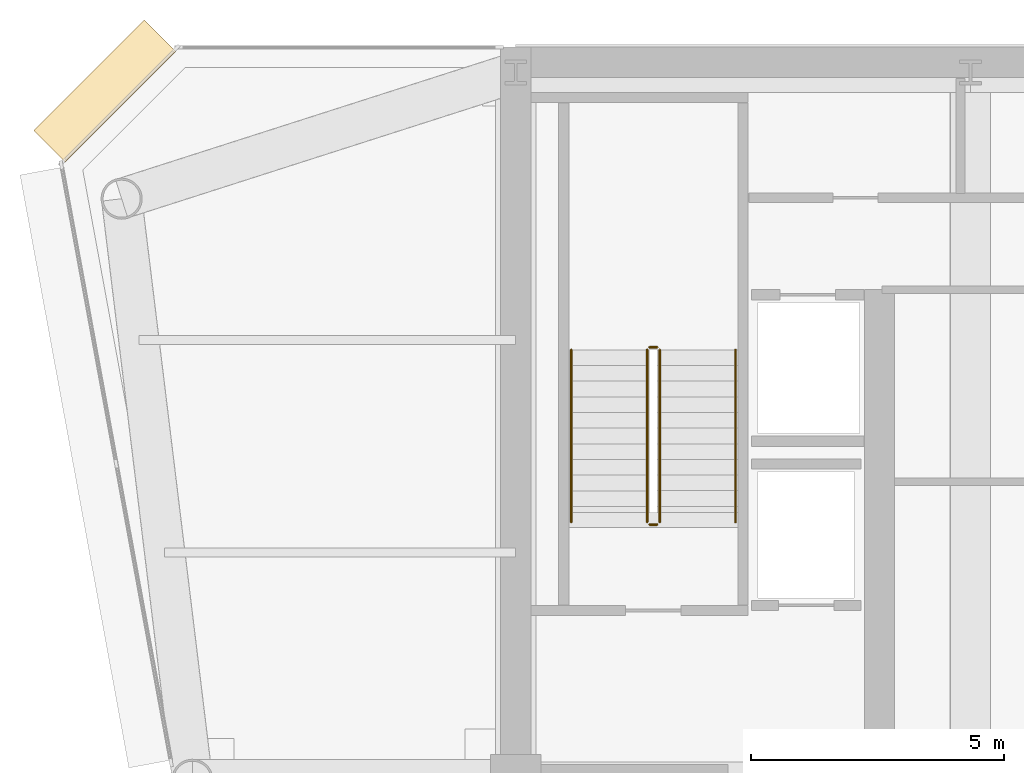
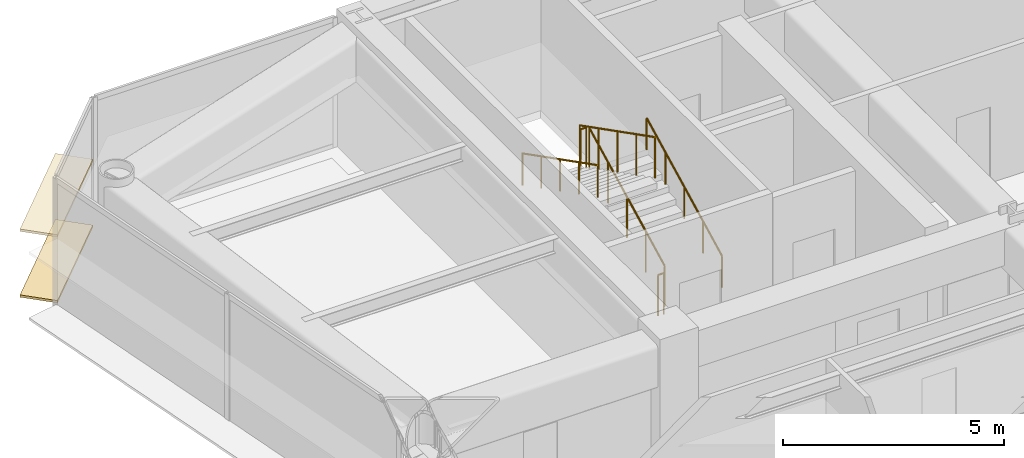
# One storey, part 14 of 16: 6 railings, 2 coverings.
"""IFC4 building model written with IfcOpenShell, lengths in metres."""

import ifcopenshell
import ifcopenshell.guid

model = None  # the IFC model being written
_history = None  # IfcOwnerHistory: only IFC2X3 demands one
_inside = {}  # id of a spatial element -> (the spatial element, [elements in it])
_under = {}  # id of a project, library or spatial element -> (it, [spatial elements below it])
_declared = {}  # id of a project -> (the project, [libraries it declares])
_typed = {}  # id of a type object -> (the type object, [elements of that type])
_made_of = {}  # id of a material, layer set ... -> (it, [elements and type objects made of it])


def new_model(schema):
    """Start an empty IFC model of exactly this schema.

    Asked for "IFC4X3", IfcOpenShell would pick the latest addendum, in which some entities
    have other attributes; the version numbers below select the first issue.
    IFC2X3 requires an IfcOwnerHistory on every rooted entity: one is made here for all.
    """
    global model, _history
    if schema == "IFC4X3":
        model = ifcopenshell.file(schema_version=(4, 3, 0, 0))
    else:
        model = ifcopenshell.file(schema=schema)
    _inside.clear()
    _under.clear()
    _declared.clear()
    _typed.clear()
    _made_of.clear()
    _history = None
    if model.schema == "IFC2X3":
        org = make("IfcOrganization", Name="unknown")
        user = make(
            "IfcPersonAndOrganization",
            ThePerson=make("IfcPerson", FamilyName="unknown"),
            TheOrganization=org,
        )
        app = make(
            "IfcApplication",
            ApplicationDeveloper=org,
            Version="unknown",
            ApplicationFullName="unknown",
            ApplicationIdentifier="unknown",
        )
        _history = make(
            "IfcOwnerHistory",
            OwningUser=user,
            OwningApplication=app,
            ChangeAction="ADDED",
            CreationDate=0,
        )
    return model


def make(cls, **values):
    """One entity of the class cls with the attributes given. An attribute that is None is left unset."""
    return model.create_entity(
        cls, **{name: value for name, value in values.items() if value is not None}
    )


def rooted(cls, **values):
    """An entity with a GlobalId (a new one), such as an element, a storey or a relation."""
    return make(cls, GlobalId=ifcopenshell.guid.new(), OwnerHistory=_history, **values)


def si_unit(unit_type, name, prefix=None):
    """IfcSIUnit, for example si_unit("LENGTHUNIT", "METRE", prefix="MILLI")."""
    return make("IfcSIUnit", UnitType=unit_type, Prefix=prefix, Name=name)


def assignment(units):
    """IfcUnitAssignment: the units of a project."""
    return None if units is None else make("IfcUnitAssignment", Units=units)


def point(xyz):
    """IfcCartesianPoint."""
    return None if xyz is None else make("IfcCartesianPoint", Coordinates=xyz)


def direction(xyz):
    """IfcDirection."""
    return None if xyz is None else make("IfcDirection", DirectionRatios=xyz)


def frame(location, z_axis=None, x_axis=None):
    """IfcAxis2Placement3D, a coordinate frame: its origin and axes. An axis left out is left unset."""
    return make(
        "IfcAxis2Placement3D",
        Location=point(location),
        Axis=direction(z_axis),
        RefDirection=direction(x_axis),
    )


def frame_2d(location, x_axis=None):
    """IfcAxis2Placement2D, a coordinate frame in the plane: its origin and x axis."""
    return make(
        "IfcAxis2Placement2D", Location=point(location), RefDirection=direction(x_axis)
    )


def origin():
    """The frame at (0, 0, 0) with its axes left unset."""
    return frame((0.0, 0.0, 0.0))


def origin_2d():
    """The frame at (0, 0) in the plane with its x axis left unset."""
    return frame_2d((0.0, 0.0))


def place(relative_to, where):
    """IfcLocalPlacement: puts the frame where relative to a parent placement (None: the world)."""
    return make(
        "IfcLocalPlacement", PlacementRelTo=relative_to, RelativePlacement=where
    )


def context(
    kind, dimensions, precision=None, world=None, true_north=None, identifier=None
):
    """IfcGeometricRepresentationContext, for example the 3D "Model" context."""
    return make(
        "IfcGeometricRepresentationContext",
        ContextIdentifier=identifier,
        ContextType=kind,
        CoordinateSpaceDimension=dimensions,
        Precision=precision,
        WorldCoordinateSystem=world,
        TrueNorth=true_north,
    )


def subcontext(parent, identifier, kind, view, scale=None):
    """IfcGeometricRepresentationSubContext, for example "Body" below "Model"."""
    return make(
        "IfcGeometricRepresentationSubContext",
        ContextIdentifier=identifier,
        ContextType=kind,
        ParentContext=parent,
        TargetScale=scale,
        TargetView=view,
    )


def project(units=None, contexts=None):
    """IfcProject with its units and contexts."""
    return rooted(
        "IfcProject",
        Name="project",
        RepresentationContexts=contexts,
        UnitsInContext=assignment(units),
    )


def spatial(cls, under=None, at=None, **own):
    """A site, building, storey or space (cls), placed at a placement, below another one or the project."""
    s = rooted(cls, ObjectPlacement=at, **own)
    if under is not None:
        _under.setdefault(under.id(), (under, []))[1].append(s)
    return s


def profile(cls, at=None, kind="AREA", **sizes):
    """A parametric profile (cls). Its sizes go by their IFC names, for example OverallWidth=200.0."""
    return make(cls, ProfileType=kind, Position=at, **sizes)


def rectangle(**sizes):
    """IfcRectangleProfileDef."""
    return profile("IfcRectangleProfileDef", **sizes)


def circle(**sizes):
    """IfcCircleProfileDef."""
    return profile("IfcCircleProfileDef", **sizes)


def extrude(swept, where, along, depth):
    """IfcExtrudedAreaSolid: the profile swept, set in the frame where, extruded along a direction by depth."""
    return make(
        "IfcExtrudedAreaSolid",
        SweptArea=swept,
        Position=where,
        ExtrudedDirection=direction(along),
        Depth=depth,
    )


def shape(context_of_items, identifier, shape_type, items):
    """IfcShapeRepresentation: the items that make up one representation, for example the "Body"."""
    return make(
        "IfcShapeRepresentation",
        ContextOfItems=context_of_items,
        RepresentationIdentifier=identifier,
        RepresentationType=shape_type,
        Items=items,
    )


def source(mapping_origin, context_of_items, identifier, shape_type, items):
    """IfcRepresentationMap: a shape defined once, which mapped items show again and again."""
    return make(
        "IfcRepresentationMap",
        MappingOrigin=mapping_origin,
        MappedRepresentation=shape(context_of_items, identifier, shape_type, items),
    )


def transform(
    local_origin,
    x_axis=None,
    y_axis=None,
    z_axis=None,
    scale=None,
    scale2=None,
    scale3=None,
    uniform=True,
):
    """IfcCartesianTransformationOperator3D, or its non-uniform kind. x_axis, y_axis, z_axis: its Axis1, 2, 3."""
    if uniform:
        return make(
            "IfcCartesianTransformationOperator3D",
            Axis1=direction(x_axis),
            Axis2=direction(y_axis),
            LocalOrigin=point(local_origin),
            Scale=scale,
            Axis3=direction(z_axis),
        )
    return make(
        "IfcCartesianTransformationOperator3DnonUniform",
        Axis1=direction(x_axis),
        Axis2=direction(y_axis),
        LocalOrigin=point(local_origin),
        Scale=scale,
        Axis3=direction(z_axis),
        Scale2=scale2,
        Scale3=scale3,
    )


def mapped(mapping_source, mapping_target):
    """IfcMappedItem: shows the shape of a source again, moved by a transform."""
    return make(
        "IfcMappedItem", MappingSource=mapping_source, MappingTarget=mapping_target
    )


def material(Name=None, Category=None):
    """IfcMaterial."""
    return make("IfcMaterial", Name=Name, Category=Category)


def layer(
    of_material, thickness, ventilated=None, Name=None, Category=None, Priority=None
):
    """IfcMaterialLayer: one layer of a wall or slab, of a material (None: an air gap)."""
    return make(
        "IfcMaterialLayer",
        Material=of_material,
        LayerThickness=thickness,
        IsVentilated=ventilated,
        Name=Name,
        Category=Category,
        Priority=Priority,
    )


def layer_set(layers, Name=None):
    """IfcMaterialLayerSet."""
    return make("IfcMaterialLayerSet", MaterialLayers=layers, LayerSetName=Name)


def made_of(thing, what):
    """Note that an element or type object is made of a material, layer set ...; save() writes the relation."""
    if what is not None:
        _made_of.setdefault(what.id(), (what, []))[1].append(thing)
    return thing


def type_object(cls, material=None, **own):
    """A type object (cls), such as IfcWallType, which elements share."""
    return made_of(rooted(cls, **own), material)


def element(
    cls,
    number,
    at=None,
    inside=None,
    cuts=None,
    type_object=None,
    material=None,
    context=None,
    identifier="Body",
    shape_type=None,
    held_by="IfcProductDefinitionShape",
    body=None,
    shapes=None,
    **own,
):
    """One element of the class cls, such as IfcWall. Its Tag is "e" and its number.

    at: its placement. inside: the storey or other place that contains it. cuts: it is an
    opening in that element (IfcRelVoidsElement). A single representation is given by context,
    identifier, shape_type and body (its items); several are given by shapes. held_by: the class
    of the entity that holds the representations. save() writes the other relations.
    """
    e = rooted(cls, Tag="e%d" % number, ObjectPlacement=at, **own)
    if body is not None:
        shapes = [shape(context, identifier, shape_type, body)]
    if shapes is not None:
        e.Representation = make(held_by, Representations=shapes)
    if inside is not None:
        _inside.setdefault(inside.id(), (inside, []))[1].append(e)
    if cuts is not None:
        rooted(
            "IfcRelVoidsElement", RelatingBuildingElement=cuts, RelatedOpeningElement=e
        )
    if type_object is not None:
        _typed.setdefault(type_object.id(), (type_object, []))[1].append(e)
    return made_of(e, material)


def aggregate(whole, parts):
    """IfcRelAggregates: a whole, such as a stair, and the parts it consists of."""
    return rooted("IfcRelAggregates", RelatingObject=whole, RelatedObjects=parts)


def save(model, path):
    """Write the relations noted so far, then the file.

    IfcRelAggregates (storeys below a building ...), IfcRelContainedInSpatialStructure (elements
    in a storey), IfcRelDefinesByType, IfcRelAssociatesMaterial and IfcRelDeclares: one each for
    every whole, place, type object, material and project.
    """
    for whole, parts in _under.values():
        aggregate(whole, parts)
    for where, things in _inside.values():
        rooted(
            "IfcRelContainedInSpatialStructure",
            RelatedElements=things,
            RelatingStructure=where,
        )
    for kind, things in _typed.values():
        rooted("IfcRelDefinesByType", RelatedObjects=things, RelatingType=kind)
    for what, things in _made_of.values():
        rooted("IfcRelAssociatesMaterial", RelatedObjects=things, RelatingMaterial=what)
    for by, libraries in _declared.values():
        rooted("IfcRelDeclares", RelatingContext=by, RelatedDefinitions=libraries)
    model.write(path)


model = new_model("IFC4")

# Units and contexts
model_context = context("Model", 3, precision=1e-05, world=origin(), true_north=direction((0.0, 1.0)))
body_context = subcontext(model_context, "Body", "Model", "MODEL_VIEW")
ifc_project = project(units=[si_unit("LENGTHUNIT", "METRE"), si_unit("AREAUNIT", "SQUARE_METRE"), si_unit("VOLUMEUNIT", "CUBIC_METRE"), si_unit("PLANEANGLEUNIT", "RADIAN"), si_unit("MASSUNIT", "GRAM", prefix="KILO")], contexts=[model_context])

# Site, building, storey
site_placement = place(None, origin())
site = spatial("IfcSite", under=ifc_project, at=site_placement, CompositionType="ELEMENT")
building_placement = place(site_placement, origin())
building = spatial("IfcBuilding", under=site, at=building_placement, Name="Vaeldorn Concourse Tower", CompositionType="ELEMENT")
storey_placement = place(building_placement, frame((0.0, 0.0, 203.199951171875)))
storey = spatial("IfcBuildingStorey", under=building, at=storey_placement, Name="L52", CompositionType="ELEMENT", Elevation=203.199951171875)

# Railings
ifc_material = material(Name="Anodised Bronze Aluminium", Category="aluminium")
railing_type_1 = type_object("IfcRailingType", Name="RL-STAIR-GUARD", PredefinedType="GUARDRAIL", material=ifc_material)
railing_1_placement = place(storey_placement, frame((16.85009765625, 41.60009765625, 0.158447265625)))
element("IfcRailing", 1, at=railing_1_placement, inside=storey, type_object=railing_type_1, Name="L52 ST-1 stair guard 1", PredefinedType="GUARDRAIL", context=body_context, shape_type="SweptSolid", body=[
    extrude(circle(Radius=0.02392578125, at=origin_2d()), frame((0.0, 0.0, 1.1259765625), z_axis=(0.0, 0.890555807335, 0.454873997962), x_axis=(-1.0, 0.0, 0.0)), (0.0, 0.0, 1.0), 3.828857421875),
    extrude(circle(Radius=0.02099609375, at=origin_2d()), origin(), (0.0, 0.0, 1.0), 1.101806640625),
    extrude(circle(Radius=0.02099609375, at=origin_2d()), frame((0.0, 0.8525390625, 0.435546875)), (0.0, 0.0, 1.0), 1.101806640625),
    extrude(circle(Radius=0.02099609375, at=origin_2d()), frame((0.0, 1.705078125, 0.870849609375)), (0.0, 0.0, 1.0), 1.101806640625),
    extrude(circle(Radius=0.02099609375, at=origin_2d()), frame((0.0, 2.557373046875, 1.30615234375)), (0.0, 0.0, 1.0), 1.101806640625),
    extrude(circle(Radius=0.02099609375, at=origin_2d()), frame((0.0, 3.409912109375, 1.74169921875)), (0.0, 0.0, 1.0), 1.101806640625),
])
railing_2_placement = place(storey_placement, frame((16.800048828125, 45.06005859375, 1.900146484375)))
element("IfcRailing", 2, at=railing_2_placement, inside=storey, type_object=railing_type_1, Name="L52 ST-1 stair guard 2", PredefinedType="GUARDRAIL", context=body_context, shape_type="SweptSolid", body=[
    extrude(circle(Radius=0.02392578125, at=origin_2d()), frame((0.0, 0.0, 1.1259765625), z_axis=(-1.0, 0.0, 0.0), x_axis=(0.0, -1.0, 0.0)), (0.0, 0.0, 1.0), 0.150146484375),
    extrude(circle(Radius=0.02099609375, at=origin_2d()), origin(), (0.0, 0.0, 1.0), 1.101806640625),
    extrude(circle(Radius=0.02099609375, at=origin_2d()), frame((-0.150146484375, 0.0, 0.0)), (0.0, 0.0, 1.0), 1.101806640625),
])
railing_3_placement = place(storey_placement, frame((16.60009765625, 45.010009765625, 2.058349609375)))
element("IfcRailing", 3, at=railing_3_placement, inside=storey, type_object=railing_type_1, Name="L52 ST-1 stair guard 3", PredefinedType="GUARDRAIL", context=body_context, shape_type="SweptSolid", body=[
    extrude(circle(Radius=0.02392578125, at=origin_2d()), frame((0.0, 0.0, 1.1259765625), z_axis=(0.0, -0.890555807335, 0.454873997962), x_axis=(1.0, 0.0, 0.0)), (0.0, 0.0, 1.0), 3.828857421875),
    extrude(circle(Radius=0.02099609375, at=origin_2d()), origin(), (0.0, 0.0, 1.0), 1.101806640625),
    extrude(circle(Radius=0.02099609375, at=origin_2d()), frame((0.0, -0.8525390625, 0.435546875)), (0.0, 0.0, 1.0), 1.101806640625),
    extrude(circle(Radius=0.02099609375, at=origin_2d()), frame((0.0, -1.705078125, 0.870849609375)), (0.0, 0.0, 1.0), 1.101806640625),
    extrude(circle(Radius=0.02099609375, at=origin_2d()), frame((0.0, -2.557373046875, 1.30615234375)), (0.0, 0.0, 1.0), 1.101806640625),
    extrude(circle(Radius=0.02099609375, at=origin_2d()), frame((0.0, -3.409912109375, 1.74169921875)), (0.0, 0.0, 1.0), 1.101806640625),
])
railing_4_placement = place(storey_placement, frame((16.800048828125, 41.550048828125, 0.0)))
element("IfcRailing", 4, at=railing_4_placement, inside=storey, type_object=railing_type_1, Name="L52 ST-1 stair guard 4", PredefinedType="GUARDRAIL", context=body_context, shape_type="SweptSolid", body=[
    extrude(circle(Radius=0.02392578125, at=origin_2d()), frame((0.0, 0.0, 1.1259765625), z_axis=(-1.0, 0.0, 0.0), x_axis=(0.0, -1.0, 0.0)), (0.0, 0.0, 1.0), 0.150146484375),
    extrude(circle(Radius=0.02099609375, at=origin_2d()), origin(), (0.0, 0.0, 1.0), 1.101806640625),
    extrude(circle(Radius=0.02099609375, at=origin_2d()), frame((-0.150146484375, 0.0, 0.0)), (0.0, 0.0, 1.0), 1.101806640625),
])
railing_type_2 = type_object("IfcRailingType", Name="RL-STAIR-HANDRAIL", PredefinedType="HANDRAIL", material=ifc_material)
railing_5_placement = place(storey_placement, frame((18.35009765625, 41.60009765625, 0.158447265625)))
element("IfcRailing", 5, at=railing_5_placement, inside=storey, type_object=railing_type_2, Name="L52 ST-1 stair handrail 1", PredefinedType="HANDRAIL", context=body_context, shape_type="SweptSolid", body=[
    extrude(circle(Radius=0.02392578125, at=origin_2d()), frame((0.0, 0.0, 0.8759765625), z_axis=(0.0, 0.890555807335, 0.454873997962), x_axis=(-1.0, 0.0, 0.0)), (0.0, 0.0, 1.0), 3.828857421875),
    extrude(circle(Radius=0.02099609375, at=origin_2d()), origin(), (0.0, 0.0, 1.0), 0.851806640625),
    extrude(circle(Radius=0.02099609375, at=origin_2d()), frame((0.0, 0.8525390625, 0.435546875)), (0.0, 0.0, 1.0), 0.851806640625),
    extrude(circle(Radius=0.02099609375, at=origin_2d()), frame((0.0, 1.705078125, 0.870849609375)), (0.0, 0.0, 1.0), 0.851806640625),
    extrude(circle(Radius=0.02099609375, at=origin_2d()), frame((0.0, 2.557373046875, 1.30615234375)), (0.0, 0.0, 1.0), 0.851806640625),
    extrude(circle(Radius=0.02099609375, at=origin_2d()), frame((0.0, 3.409912109375, 1.74169921875)), (0.0, 0.0, 1.0), 0.851806640625),
])
railing_6_placement = place(storey_placement, frame((15.10009765625, 45.010009765625, 2.058349609375)))
element("IfcRailing", 6, at=railing_6_placement, inside=storey, type_object=railing_type_2, Name="L52 ST-1 stair handrail 2", PredefinedType="HANDRAIL", context=body_context, shape_type="SweptSolid", body=[
    extrude(circle(Radius=0.02392578125, at=origin_2d()), frame((0.0, 0.0, 0.8759765625), z_axis=(0.0, -0.890555807335, 0.454873997962), x_axis=(1.0, 0.0, 0.0)), (0.0, 0.0, 1.0), 3.828857421875),
    extrude(circle(Radius=0.02099609375, at=origin_2d()), origin(), (0.0, 0.0, 1.0), 0.851806640625),
    extrude(circle(Radius=0.02099609375, at=origin_2d()), frame((0.0, -0.8525390625, 0.435546875)), (0.0, 0.0, 1.0), 0.851806640625),
    extrude(circle(Radius=0.02099609375, at=origin_2d()), frame((0.0, -1.705078125, 0.870849609375)), (0.0, 0.0, 1.0), 0.851806640625),
    extrude(circle(Radius=0.02099609375, at=origin_2d()), frame((0.0, -2.557373046875, 1.30615234375)), (0.0, 0.0, 1.0), 0.851806640625),
    extrude(circle(Radius=0.02099609375, at=origin_2d()), frame((0.0, -3.409912109375, 1.74169921875)), (0.0, 0.0, 1.0), 0.851806640625),
])

# Coverings
ifc_layer = layer(ifc_material, 0.06494140625)
ifc_layer_set = layer_set([ifc_layer], Name="Anodised Bronze Aluminium")
covering_type = type_object("IfcCoveringType", Name="SD-BRONZE-SUNSHADE", PredefinedType="USERDEFINED", material=ifc_layer_set)
shared_shape = source(origin(), body_context, "Body", "SweptSolid", [
    extrude(rectangle(XDim=3.0927734375, YDim=0.8798828125, at=origin_2d()), origin(), (0.0, 0.0, 1.0), 0.06494140625),
])
for number, where, z_axis, x_axis, name in (
    (7, (5.8671875, 50.1328125, 0.047607421875), (0.0, 0.0, 1.0), (-0.707106781187, -0.707106781187, 0.0), "Horizontal Bronze Sunshade L52-E10.1.1"),
    (8, (5.8671875, 50.1328125, 1.86767578125), (0.0, 0.0, 1.0), (-0.707106781187, -0.707106781187, 0.0), "Horizontal Bronze Sunshade L52-E10.1.2"),
):
    element("IfcCovering", number, at=place(storey_placement, frame(where, z_axis=z_axis, x_axis=x_axis)), inside=storey, type_object=covering_type, Name=name, ObjectType="SUNSHADE", PredefinedType="USERDEFINED", context=body_context, shape_type="MappedRepresentation", body=[
        mapped(shared_shape, transform((0.0, 0.0, 0.0), scale=1.0)),
    ])

save(model, "model.ifc")
